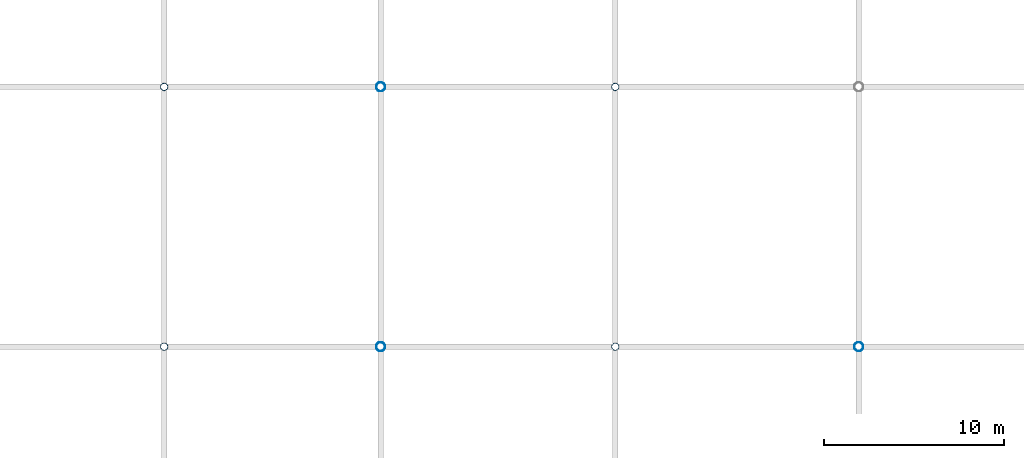
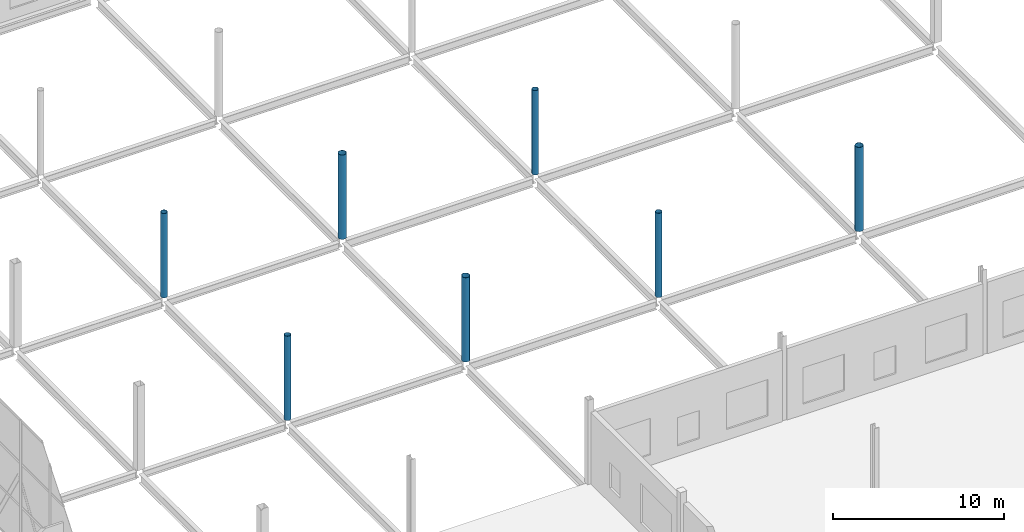
# One storey, part 16 of 191: 7 columns.
"""IFC4 building model written with IfcOpenShell, lengths in metres."""

from ifc_helpers import new_model, si_unit, direction, frame, origin, origin_2d, place, context, subcontext, project, spatial, hollow_circle, extrude, material, material_profile, profile_set, type_object, element, save


model = new_model("IFC4")

# Units and contexts
model_context = context("Model", 3, precision=1e-05, world=origin(), true_north=direction((0.0, 1.0)))
body_context = subcontext(model_context, "Body", "Model", "MODEL_VIEW")
ifc_project = project(units=[si_unit("LENGTHUNIT", "METRE"), si_unit("AREAUNIT", "SQUARE_METRE"), si_unit("VOLUMEUNIT", "CUBIC_METRE"), si_unit("PLANEANGLEUNIT", "RADIAN"), si_unit("MASSUNIT", "GRAM", prefix="KILO")], contexts=[model_context])

# Site, building, storey
site_placement = place(None, origin())
site = spatial("IfcSite", under=ifc_project, at=site_placement, CompositionType="ELEMENT")
building_placement = place(site_placement, origin())
building = spatial("IfcBuilding", under=site, at=building_placement, Name="Tamarisk Ironworks Central Station", CompositionType="ELEMENT")
storey_placement = place(building_placement, frame((0.0, 0.0, 6.60009765625)))
storey = spatial("IfcBuildingStorey", under=building, at=storey_placement, Name="L01", CompositionType="ELEMENT", Elevation=6.60009765625)

# Columns
ifc_material = material(Name="Structural steel S355J2H", Category="steel")
ifc_material_profile_1 = material_profile(ifc_material, hollow_circle(Radius=0.25390625, WallThickness=0.01611328125, at=origin_2d()), Name="CHS 508x16")
ifc_profile_set_1 = profile_set([ifc_material_profile_1], Name="Structural steel S355J2H")
column_type_1 = type_object("IfcColumnType", Name="COL-S16", PredefinedType="COLUMN", material=ifc_profile_set_1)
for number, where, z_axis, x_axis, name in (
    (1, (140.0, 36.0, 0.0), (0.0, 0.0, 1.0), (1.0, 0.0, 0.0), "L01 column V1-17D"),
    (2, (140.0, 50.39990234375, 0.0), (0.0, 0.0, 1.0), (1.0, 0.0, 0.0), "L01 column V1-17E"),
    (3, (166.5, 36.0, 0.0), (0.0, 0.0, 1.0), (1.0, 0.0, 0.0), "L01 column V1-19D"),
):
    element("IfcColumn", number, at=place(storey_placement, frame(where, z_axis=z_axis, x_axis=x_axis)), inside=storey, type_object=column_type_1, Name=name, PredefinedType="COLUMN", context=body_context, shape_type="SweptSolid", body=[
        extrude(hollow_circle(Radius=0.25390625, WallThickness=0.01611328125, at=origin_2d()), origin(), (0.0, 0.0, 1.0), 6.0),
    ])
ifc_material_profile_2 = material_profile(ifc_material, hollow_circle(Radius=0.203125, WallThickness=0.01416015625, at=origin_2d()), Name="CHS 406.4x14.2")
ifc_profile_set_2 = profile_set([ifc_material_profile_2], Name="Structural steel S355J2H")
column_type_2 = type_object("IfcColumnType", Name="COL-S17", PredefinedType="COLUMN", material=ifc_profile_set_2)
for number, where, z_axis, x_axis, name in (
    (4, (128.0, 36.0, 0.0), (0.0, 0.0, 1.0), (1.0, 0.0, 0.0), "L01 column V1-16D"),
    (5, (128.0, 50.39990234375, 0.0), (0.0, 0.0, 1.0), (1.0, 0.0, 0.0), "L01 column V1-16E"),
    (6, (153.0, 36.0, 0.0), (0.0, 0.0, 1.0), (1.0, 0.0, 0.0), "L01 column V1-18D"),
    (7, (153.0, 50.39990234375, 0.0), (0.0, 0.0, 1.0), (1.0, 0.0, 0.0), "L01 column V1-18E"),
):
    element("IfcColumn", number, at=place(storey_placement, frame(where, z_axis=z_axis, x_axis=x_axis)), inside=storey, type_object=column_type_2, Name=name, PredefinedType="COLUMN", context=body_context, shape_type="SweptSolid", body=[
        extrude(hollow_circle(Radius=0.203125, WallThickness=0.01416015625, at=origin_2d()), origin(), (0.0, 0.0, 1.0), 6.0),
    ])

save(model, "model.ifc")
